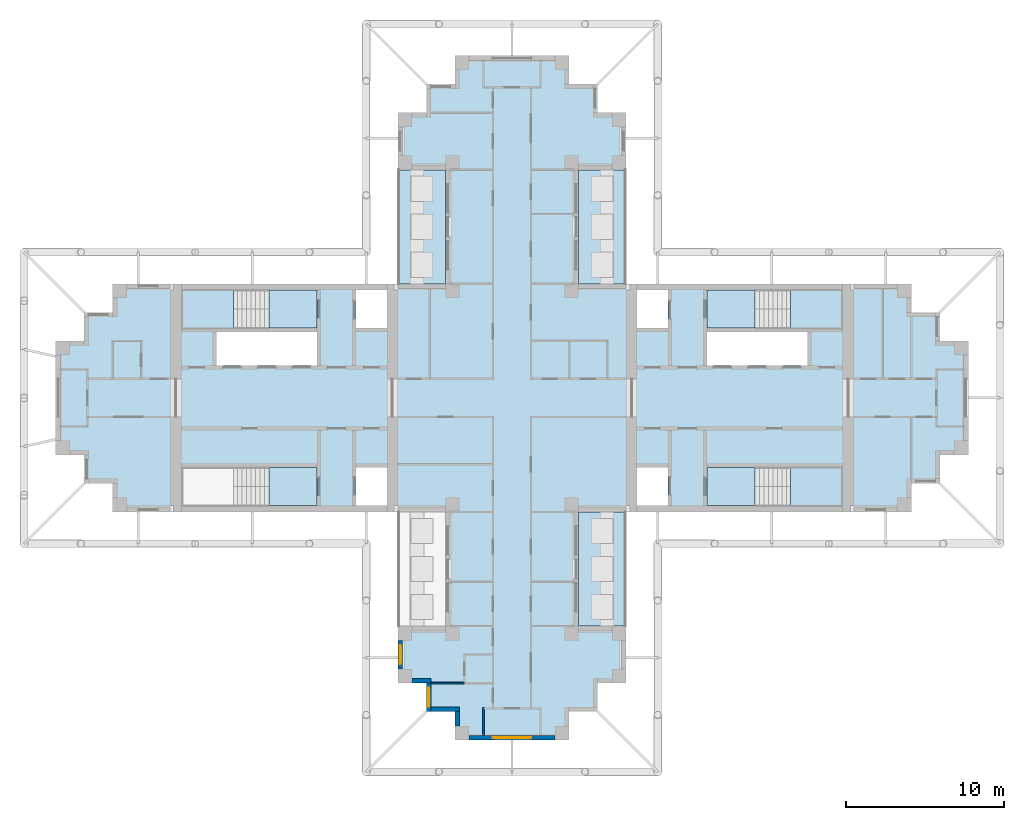
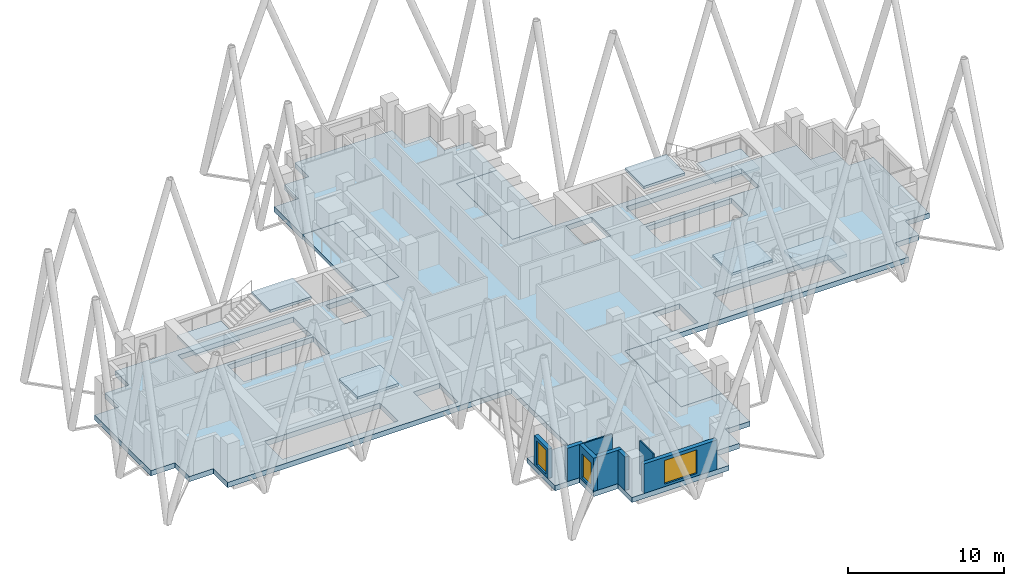
# One storey, part 2 of 11: 11 slabs, 8 walls, 3 windows, 3 openings, 4 elements without a shape of their own.
"""IFC4 building model written with IfcOpenShell, lengths in metres."""

from ifc_helpers import new_model, si_unit, direction, frame, frame_2d, origin, place, context, subcontext, project, spatial, polyline, rectangle, outline, extrude, material, layer, layer_set, type_object, element, fill, aggregate, save


model = new_model("IFC4")

# Units and contexts
model_context = context("Model", 3, precision=1e-05, world=origin(), true_north=direction((0.0, 1.0)))
body_context = subcontext(model_context, "Body", "Model", "MODEL_VIEW")
ifc_project = project(units=[si_unit("LENGTHUNIT", "METRE"), si_unit("AREAUNIT", "SQUARE_METRE"), si_unit("VOLUMEUNIT", "CUBIC_METRE"), si_unit("PLANEANGLEUNIT", "RADIAN"), si_unit("MASSUNIT", "GRAM", prefix="KILO")], contexts=[model_context])

# Site, building, storey
site_placement = place(None, origin())
site = spatial("IfcSite", under=ifc_project, at=site_placement, CompositionType="ELEMENT")
building_placement = place(site_placement, origin())
building = spatial("IfcBuilding", under=site, at=building_placement, Name="Fustian Cross Tower", CompositionType="ELEMENT")
storey_placement = place(building_placement, frame((0.0, 0.0, 222.89990234375)))
storey = spatial("IfcBuildingStorey", under=building, at=storey_placement, Name="L70", CompositionType="ELEMENT", Elevation=222.89990234375)

# Slabs
ifc_material_1 = material(Name="Concrete C40/50", Category="concrete")
ifc_layer_1 = layer(ifc_material_1, 0.300048828125)
ifc_layer_set_1 = layer_set([ifc_layer_1], Name="Concrete C40/50")
slab_type_1 = type_object("IfcSlabType", Name="BS1 BALCONY SLAB 300", PredefinedType="FLOOR", material=ifc_layer_set_1)
slab_1_placement = place(storey_placement, frame((0.0, 0.0, -0.2998046875)))
element("IfcSlab", 1, at=slab_1_placement, inside=storey, type_object=slab_type_1, Name="Balcony slab", PredefinedType="FLOOR", context=body_context, shape_type="SweptSolid", body=[
    extrude(outline(polyline([(4.199951171875, 7.199951171875), (7.199951171875, 7.199951171875), (7.199951171875, 14.39990234375), (4.199951171875, 14.39990234375), (4.199951171875, 7.199951171875)])), origin(), (0.0, 0.0, 1.0), 0.2998046875),
])
slab_2_placement = place(storey_placement, frame((0.0, 0.0, -0.2998046875)))
element("IfcSlab", 2, at=slab_2_placement, inside=storey, type_object=slab_type_1, Name="Balcony slab", PredefinedType="FLOOR", context=body_context, shape_type="SweptSolid", body=[
    extrude(outline(polyline([(-7.199951171875, 7.199951171875), (-4.199951171875, 7.199951171875), (-4.199951171875, 14.39990234375), (-7.199951171875, 14.39990234375), (-7.199951171875, 7.199951171875)])), origin(), (0.0, 0.0, 1.0), 0.2998046875),
])
slab_3_placement = place(storey_placement, frame((0.0, 0.0, -0.2998046875)))
element("IfcSlab", 3, at=slab_3_placement, inside=storey, type_object=slab_type_1, Name="Balcony slab", PredefinedType="FLOOR", context=body_context, shape_type="SweptSolid", body=[
    extrude(outline(polyline([(4.199951171875, -14.39990234375), (7.199951171875, -14.39990234375), (7.199951171875, -7.199951171875), (4.199951171875, -7.199951171875), (4.199951171875, -14.39990234375)])), origin(), (0.0, 0.0, 1.0), 0.2998046875),
])
ifc_material_2 = material(Name="Concrete C40/50", Category="concrete")
ifc_layer_2 = layer(ifc_material_2, 0.39990234375)
ifc_layer_set_2 = layer_set([ifc_layer_2], Name="Concrete C40/50")
slab_type_2 = type_object("IfcSlabType", Name="FLAT SLAB 400", PredefinedType="FLOOR", material=ifc_layer_set_2)
slab_4_placement = place(storey_placement, frame((0.0, 0.0, -0.39990234375)))
element("IfcSlab", 4, at=slab_4_placement, inside=storey, type_object=slab_type_2, Name="FLOOR SLAB L70-1", PredefinedType="FLOOR", context=body_context, shape_type="SweptSolid", body=[
    extrude(outline(polyline([(-3.60009765625, -19.800048828125), (-5.39990234375, -19.800048828125), (-5.39990234375, -18.0), (-7.199951171875, -18.0), (-7.199951171875, -14.39990234375), (-4.199951171875, -14.39990234375), (-4.199951171875, -7.199951171875), (-25.199951171875, -7.199951171875), (-25.199951171875, -5.39990234375), (-27.0, -5.39990234375), (-27.0, -3.60009765625), (-28.800048828125, -3.60009765625), (-28.800048828125, 3.60009765625), (-27.0, 3.60009765625), (-27.0, 5.39990234375), (-25.199951171875, 5.39990234375), (-25.199951171875, 7.199951171875), (-4.199951171875, 7.199951171875), (-4.199951171875, 14.39990234375), (-7.199951171875, 14.39990234375), (-7.199951171875, 18.0), (-5.39990234375, 18.0), (-5.39990234375, 19.800048828125), (-3.60009765625, 19.800048828125), (-3.60009765625, 21.60009765625), (3.60009765625, 21.60009765625), (3.60009765625, 19.800048828125), (5.39990234375, 19.800048828125), (5.39990234375, 18.0), (7.199951171875, 18.0), (7.199951171875, 14.39990234375), (4.199951171875, 14.39990234375), (4.199951171875, 7.199951171875), (25.199951171875, 7.199951171875), (25.199951171875, 5.39990234375), (27.0, 5.39990234375), (27.0, 3.60009765625), (28.800048828125, 3.60009765625), (28.800048828125, -3.60009765625), (27.0, -3.60009765625), (27.0, -5.39990234375), (25.199951171875, -5.39990234375), (25.199951171875, -7.199951171875), (4.199951171875, -7.199951171875), (4.199951171875, -14.39990234375), (7.199951171875, -14.39990234375), (7.199951171875, -18.0), (5.39990234375, -18.0), (5.39990234375, -19.800048828125), (3.60009765625, -19.800048828125), (3.60009765625, -21.60009765625), (-3.60009765625, -21.60009765625), (-3.60009765625, -19.800048828125)]), holes=[polyline([(7.89990234375, 6.800048828125), (7.89990234375, 4.39990234375), (9.85009765625, 4.39990234375), (9.85009765625, 6.800048828125), (7.89990234375, 6.800048828125)]), polyline([(9.85009765625, -4.39990234375), (7.89990234375, -4.39990234375), (7.89990234375, -6.800048828125), (9.85009765625, -6.800048828125), (9.85009765625, -4.39990234375)]), polyline([(-7.89990234375, 4.39990234375), (-7.89990234375, 6.800048828125), (-9.85009765625, 6.800048828125), (-9.85009765625, 4.39990234375), (-7.89990234375, 4.39990234375)]), polyline([(-9.85009765625, -6.800048828125), (-7.89990234375, -6.800048828125), (-7.89990234375, -4.39990234375), (-9.85009765625, -4.39990234375), (-9.85009765625, -6.800048828125)]), polyline([(12.300048828125, 4.14990234375), (12.300048828125, 2.050048828125), (18.64990234375, 2.050048828125), (18.64990234375, 4.14990234375), (12.300048828125, 4.14990234375)]), polyline([(-12.300048828125, 4.14990234375), (-18.64990234375, 4.14990234375), (-18.64990234375, 2.050048828125), (-12.300048828125, 2.050048828125), (-12.300048828125, 4.14990234375)]), polyline([(20.85009765625, 4.39990234375), (20.85009765625, 6.699951171875), (12.300048828125, 6.699951171875), (12.300048828125, 4.39990234375), (20.85009765625, 4.39990234375)]), polyline([(12.300048828125, -6.699951171875), (20.85009765625, -6.699951171875), (20.85009765625, -4.39990234375), (12.300048828125, -4.39990234375), (12.300048828125, -6.699951171875)]), polyline([(-20.85009765625, 6.699951171875), (-20.85009765625, 4.39990234375), (-12.300048828125, 4.39990234375), (-12.300048828125, 6.699951171875), (-20.85009765625, 6.699951171875)]), polyline([(-12.300048828125, -4.39990234375), (-20.85009765625, -4.39990234375), (-20.85009765625, -6.699951171875), (-12.300048828125, -6.699951171875), (-12.300048828125, -4.39990234375)])]), origin(), (0.0, 0.0, 1.0), 0.39990234375),
])

# Stair, slabs
ifc_material_3 = material(Name="Concrete C50/60", Category="concrete")
stair_type = type_object("IfcStairType", Name="STAIR 1200 HALF TURN", PredefinedType="HALF_TURN_STAIR", material=ifc_material_3)
stair_1_placement = place(storey_placement, origin())
stair_1 = element("IfcStair", 5, at=stair_1_placement, inside=storey, type_object=stair_type, Name="Stair ST1", PredefinedType="HALF_TURN_STAIR")
ifc_material_4 = material(Name="Concrete C50/60", Category="concrete")
ifc_layer_3 = layer(ifc_material_4, 0.199951171875)
ifc_layer_set_3 = layer_set([ifc_layer_3], Name="Concrete C50/60")
slab_type_3 = type_object("IfcSlabType", Name="STAIR LANDING", PredefinedType="LANDING", material=ifc_layer_set_3)
slab_5_placement = place(storey_placement, frame((0.0, 0.0, 1.300048828125)))
slab_5 = element("IfcSlab", 6, at=slab_5_placement, type_object=slab_type_3, Name="ST1 landing 1", PredefinedType="LANDING", context=body_context, shape_type="SweptSolid", body=[
    extrude(outline(polyline([(17.590087890625, 4.39990234375), (20.85009765625, 4.39990234375), (20.85009765625, 6.800048828125), (17.590087890625, 6.800048828125), (17.590087890625, 4.39990234375)])), origin(), (0.0, 0.0, 1.0), 0.199951171875),
])
slab_6_placement = place(storey_placement, frame((0.0, 0.0, 2.800048828125)))
slab_6 = element("IfcSlab", 7, at=slab_6_placement, type_object=slab_type_3, Name="ST1 landing 2", PredefinedType="LANDING", context=body_context, shape_type="SweptSolid", body=[
    extrude(outline(polyline([(12.300048828125, 4.39990234375), (15.35009765625, 4.39990234375), (15.35009765625, 6.800048828125), (12.300048828125, 6.800048828125), (12.300048828125, 4.39990234375)])), origin(), (0.0, 0.0, 1.0), 0.199951171875),
])
aggregate(stair_1, [slab_5, slab_6])

stair_2_placement = place(storey_placement, origin())
stair_2 = element("IfcStair", 8, at=stair_2_placement, inside=storey, type_object=stair_type, Name="Stair ST2", PredefinedType="HALF_TURN_STAIR")
slab_7_placement = place(storey_placement, frame((0.0, 0.0, 1.300048828125)))
slab_7 = element("IfcSlab", 9, at=slab_7_placement, type_object=slab_type_3, Name="ST2 landing 1", PredefinedType="LANDING", context=body_context, shape_type="SweptSolid", body=[
    extrude(outline(polyline([(17.590087890625, -4.39990234375), (20.85009765625, -4.39990234375), (20.85009765625, -6.800048828125), (17.590087890625, -6.800048828125), (17.590087890625, -4.39990234375)])), origin(), (0.0, 0.0, 1.0), 0.199951171875),
])
slab_8_placement = place(storey_placement, frame((0.0, 0.0, 2.800048828125)))
slab_8 = element("IfcSlab", 10, at=slab_8_placement, type_object=slab_type_3, Name="ST2 landing 2", PredefinedType="LANDING", context=body_context, shape_type="SweptSolid", body=[
    extrude(outline(polyline([(12.300048828125, -4.39990234375), (15.35009765625, -4.39990234375), (15.35009765625, -6.800048828125), (12.300048828125, -6.800048828125), (12.300048828125, -4.39990234375)])), origin(), (0.0, 0.0, 1.0), 0.199951171875),
])
aggregate(stair_2, [slab_7, slab_8])

stair_3_placement = place(storey_placement, origin())
stair_3 = element("IfcStair", 11, at=stair_3_placement, inside=storey, type_object=stair_type, Name="Stair ST3", PredefinedType="HALF_TURN_STAIR")
slab_9_placement = place(storey_placement, frame((0.0, 0.0, 1.300048828125)))
slab_9 = element("IfcSlab", 12, at=slab_9_placement, type_object=slab_type_3, Name="ST3 landing 1", PredefinedType="LANDING", context=body_context, shape_type="SweptSolid", body=[
    extrude(outline(polyline([(-17.590087890625, 4.39990234375), (-20.85009765625, 4.39990234375), (-20.85009765625, 6.800048828125), (-17.590087890625, 6.800048828125), (-17.590087890625, 4.39990234375)])), origin(), (0.0, 0.0, 1.0), 0.199951171875),
])
slab_10_placement = place(storey_placement, frame((0.0, 0.0, 2.800048828125)))
slab_10 = element("IfcSlab", 13, at=slab_10_placement, type_object=slab_type_3, Name="ST3 landing 2", PredefinedType="LANDING", context=body_context, shape_type="SweptSolid", body=[
    extrude(outline(polyline([(-12.300048828125, 4.39990234375), (-15.35009765625, 4.39990234375), (-15.35009765625, 6.800048828125), (-12.300048828125, 6.800048828125), (-12.300048828125, 4.39990234375)])), origin(), (0.0, 0.0, 1.0), 0.199951171875),
])
aggregate(stair_3, [slab_9, slab_10])

# Stair, slab
stair_4_placement = place(storey_placement, origin())
stair_4 = element("IfcStair", 14, at=stair_4_placement, inside=storey, type_object=stair_type, Name="Stair ST4", PredefinedType="HALF_TURN_STAIR")
slab_11_placement = place(storey_placement, frame((0.0, 0.0, 2.800048828125)))
slab_11 = element("IfcSlab", 15, at=slab_11_placement, type_object=slab_type_3, Name="ST4 landing 2", PredefinedType="LANDING", context=body_context, shape_type="SweptSolid", body=[
    extrude(outline(polyline([(-12.300048828125, -4.39990234375), (-15.35009765625, -4.39990234375), (-15.35009765625, -6.800048828125), (-12.300048828125, -6.800048828125), (-12.300048828125, -4.39990234375)])), origin(), (0.0, 0.0, 1.0), 0.199951171875),
])
aggregate(stair_4, [slab_11])

# Walls
ifc_material_5 = material(Name="Plasterboard on steel stud", Category="steel")
ifc_layer_4 = layer(ifc_material_5, 0.10009765625)
ifc_layer_set_4 = layer_set([ifc_layer_4], Name="Plasterboard on steel stud")
wall_type_1 = type_object("IfcWallType", Name="PARTITION 100 STUD", PredefinedType="PARTITIONING", material=ifc_layer_set_4)
wall_1_placement = place(storey_placement, frame((-5.10009765625, -18.0, 0.0), z_axis=(0.0, 0.0, 1.0), x_axis=(1.0, 0.0, 0.0)))
element("IfcWall", 16, at=wall_1_placement, inside=storey, type_object=wall_type_1, Name="Partition 15", PredefinedType="PARTITIONING", context=body_context, shape_type="SweptSolid", body=[
    extrude(rectangle(XDim=2.10009765625, YDim=0.10009765625, at=frame_2d((1.050048828125, 0.0))), origin(), (0.0, 0.0, 1.0), 2.60009765625),
])
wall_2_placement = place(storey_placement, frame((-1.800048828125, -21.300048828125, 0.0), z_axis=(0.0, 0.0, 1.0), x_axis=(0.0, 1.0, 0.0)))
element("IfcWall", 17, at=wall_2_placement, inside=storey, type_object=wall_type_1, Name="Partition 25", PredefinedType="PARTITIONING", context=body_context, shape_type="SweptSolid", body=[
    extrude(rectangle(XDim=1.75, YDim=0.10009765625, at=frame_2d((0.875, 0.0))), origin(), (0.0, 0.0, 1.0), 2.60009765625),
])

# Wall, opening, window
ifc_material_6 = material(Name="Dark aluminium cladding on insulated backing wall", Category="aluminium")
ifc_layer_5 = layer(ifc_material_6, 0.300048828125)
ifc_layer_set_5 = layer_set([ifc_layer_5], Name="Dark aluminium cladding on insulated backing wall")
wall_type_2 = type_object("IfcWallType", Name="XW1 EXTERNAL WALL 300", PredefinedType="SOLIDWALL", material=ifc_layer_set_5)
wall_3_placement = place(storey_placement, frame((-7.050048828125, -15.300048828125, 0.0), z_axis=(0.0, 0.0, 1.0), x_axis=(0.0, -1.0, 0.0)))
wall_3 = element("IfcWall", 18, at=wall_3_placement, inside=storey, type_object=wall_type_2, Name="External wall", PredefinedType="SOLIDWALL", context=body_context, shape_type="SweptSolid", body=[
    extrude(rectangle(XDim=1.800048828125, YDim=0.300048828125, at=frame_2d((0.89990234375, 0.0))), origin(), (0.0, 0.0, 1.0), 2.300048828125),
])
opening_1_placement = place(wall_3_placement, frame((0.300048828125, 0.0, 0.199951171875)))
opening_1 = element("IfcOpeningElement", 19, at=opening_1_placement, cuts=wall_3, Name="Opening WN3", PredefinedType="OPENING", context=body_context, shape_type="SweptSolid", body=[
    extrude(rectangle(XDim=1.199951171875, YDim=1.85009765625, at=frame_2d((0.60009765625, 0.925048828125))), frame((0.0, 0.159912109375, 0.0), z_axis=(0.0, -1.0, 0.0), x_axis=(1.0, 0.0, 0.0)), (0.0, 0.0, 1.0), 0.320068359375),
])
ifc_material_7 = material(Name="Dark anodised aluminium and double glazing", Category="aluminium")
window_type_1 = type_object("IfcWindowType", Name="WN3 WINDOW 1200X1850", PartitioningType="SINGLE_PANEL", PredefinedType="WINDOW", material=ifc_material_7)
window_1_placement = place(opening_1_placement, origin())
window_1 = element("IfcWindow", 20, at=window_1_placement, inside=storey, type_object=window_type_1, Name="Window", OverallHeight=1.85009765625, OverallWidth=1.199951171875, PartitioningType="SINGLE_PANEL", PredefinedType="WINDOW", context=body_context, shape_type="SweptSolid", body=[
    extrude(rectangle(XDim=1.199951171875, YDim=1.85009765625, at=frame_2d((0.60009765625, 0.925048828125))), frame((0.0, 0.030029296875, 0.0), z_axis=(0.0, -1.0, 0.0), x_axis=(1.0, 0.0, 0.0)), (0.0, 0.0, 1.0), 0.06005859375),
])
fill(opening_1, window_1)

# Wall
wall_4_placement = place(storey_placement, frame((-6.300048828125, -17.85009765625, 0.0), z_axis=(0.0, 0.0, 1.0), x_axis=(1.0, 0.0, 0.0)))
element("IfcWall", 21, at=wall_4_placement, inside=storey, type_object=wall_type_2, Name="External wall", PredefinedType="SOLIDWALL", context=body_context, shape_type="SweptSolid", body=[
    extrude(rectangle(XDim=1.199951171875, YDim=0.300048828125, at=frame_2d((0.60009765625, 0.0))), origin(), (0.0, 0.0, 1.0), 2.60009765625),
])

# Wall, opening, window
wall_5_placement = place(storey_placement, frame((-5.25, -18.0, 0.0), z_axis=(0.0, 0.0, 1.0), x_axis=(0.0, -1.0, 0.0)))
wall_5 = element("IfcWall", 22, at=wall_5_placement, inside=storey, type_object=wall_type_2, Name="External wall", PredefinedType="SOLIDWALL", context=body_context, shape_type="SweptSolid", body=[
    extrude(rectangle(XDim=1.800048828125, YDim=0.300048828125, at=frame_2d((0.89990234375, 0.0))), origin(), (0.0, 0.0, 1.0), 2.60009765625),
])
opening_2_placement = place(wall_5_placement, frame((0.300048828125, 0.0, 0.199951171875)))
opening_2 = element("IfcOpeningElement", 23, at=opening_2_placement, cuts=wall_5, Name="Opening WN3", PredefinedType="OPENING", context=body_context, shape_type="SweptSolid", body=[
    extrude(rectangle(XDim=1.199951171875, YDim=1.85009765625, at=frame_2d((0.60009765625, 0.925048828125))), frame((0.0, 0.159912109375, 0.0), z_axis=(0.0, -1.0, 0.0), x_axis=(1.0, 0.0, 0.0)), (0.0, 0.0, 1.0), 0.320068359375),
])
window_2_placement = place(opening_2_placement, origin())
window_2 = element("IfcWindow", 24, at=window_2_placement, inside=storey, type_object=window_type_1, Name="Window", OverallHeight=1.85009765625, OverallWidth=1.199951171875, PartitioningType="SINGLE_PANEL", PredefinedType="WINDOW", context=body_context, shape_type="SweptSolid", body=[
    extrude(rectangle(XDim=1.199951171875, YDim=1.85009765625, at=frame_2d((0.60009765625, 0.925048828125))), frame((0.0, 0.030029296875, 0.0), z_axis=(0.0, -1.0, 0.0), x_axis=(1.0, 0.0, 0.0)), (0.0, 0.0, 1.0), 0.06005859375),
])
fill(opening_2, window_2)

# Walls
wall_6_placement = place(storey_placement, frame((-5.10009765625, -19.64990234375, 0.0), z_axis=(0.0, 0.0, 1.0), x_axis=(1.0, 0.0, 0.0)))
element("IfcWall", 25, at=wall_6_placement, inside=storey, type_object=wall_type_2, Name="External wall", PredefinedType="SOLIDWALL", context=body_context, shape_type="SweptSolid", body=[
    extrude(rectangle(XDim=1.800048828125, YDim=0.300048828125, at=frame_2d((0.89990234375, 0.0))), origin(), (0.0, 0.0, 1.0), 2.60009765625),
])
wall_7_placement = place(storey_placement, frame((-3.449951171875, -19.800048828125, 0.0), z_axis=(0.0, 0.0, 1.0), x_axis=(0.0, -1.0, 0.0)))
element("IfcWall", 26, at=wall_7_placement, inside=storey, type_object=wall_type_2, Name="External wall", PredefinedType="SOLIDWALL", context=body_context, shape_type="SweptSolid", body=[
    extrude(rectangle(XDim=0.89990234375, YDim=0.300048828125, at=frame_2d((0.449951171875, 0.0))), origin(), (0.0, 0.0, 1.0), 2.60009765625),
])

# Wall, opening, window
wall_8_placement = place(storey_placement, frame((-2.699951171875, -21.449951171875, 0.0), z_axis=(0.0, 0.0, 1.0), x_axis=(1.0, 0.0, 0.0)))
wall_8 = element("IfcWall", 27, at=wall_8_placement, inside=storey, type_object=wall_type_2, Name="External wall", PredefinedType="SOLIDWALL", context=body_context, shape_type="SweptSolid", body=[
    extrude(rectangle(XDim=5.39990234375, YDim=0.300048828125, at=frame_2d((2.699951171875, 0.0))), origin(), (0.0, 0.0, 1.0), 2.300048828125),
])
opening_3_placement = place(wall_8_placement, frame((1.5, 0.0, 0.199951171875)))
opening_3 = element("IfcOpeningElement", 28, at=opening_3_placement, cuts=wall_8, Name="Opening WN1", PredefinedType="OPENING", context=body_context, shape_type="SweptSolid", body=[
    extrude(rectangle(XDim=2.39990234375, YDim=1.85009765625, at=frame_2d((1.199951171875, 0.925048828125))), frame((0.0, 0.159912109375, 0.0), z_axis=(0.0, -1.0, 0.0), x_axis=(1.0, 0.0, 0.0)), (0.0, 0.0, 1.0), 0.320068359375),
])
ifc_material_8 = material(Name="Dark anodised aluminium and double glazing", Category="aluminium")
window_type_2 = type_object("IfcWindowType", Name="WN1 WINDOW 2400X1850", PartitioningType="SINGLE_PANEL", PredefinedType="WINDOW", material=ifc_material_8)
window_3_placement = place(opening_3_placement, origin())
window_3 = element("IfcWindow", 29, at=window_3_placement, inside=storey, type_object=window_type_2, Name="Window", OverallHeight=1.85009765625, OverallWidth=2.39990234375, PartitioningType="SINGLE_PANEL", PredefinedType="WINDOW", context=body_context, shape_type="SweptSolid", body=[
    extrude(rectangle(XDim=2.39990234375, YDim=1.85009765625, at=frame_2d((1.199951171875, 0.925048828125))), frame((0.0, 0.030029296875, 0.0), z_axis=(0.0, -1.0, 0.0), x_axis=(1.0, 0.0, 0.0)), (0.0, 0.0, 1.0), 0.06005859375),
])
fill(opening_3, window_3)

save(model, "model.ifc")
